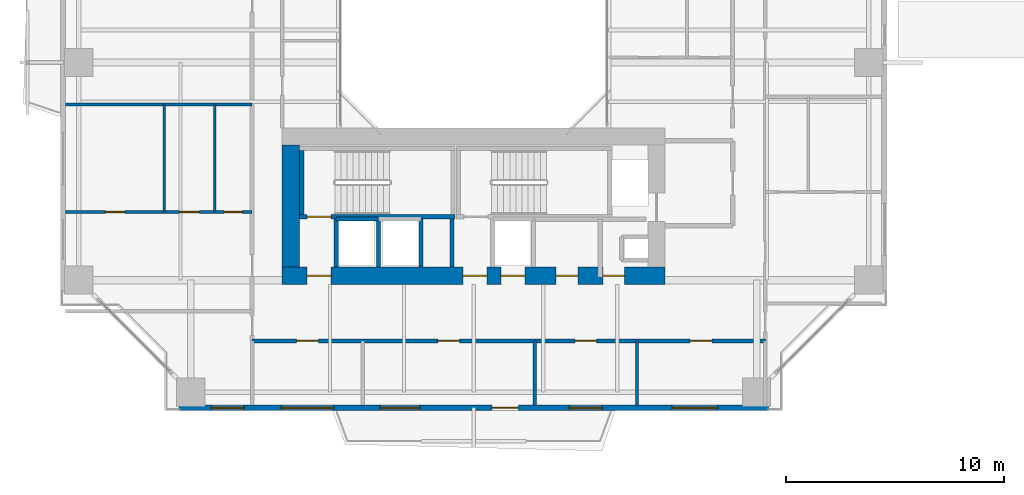
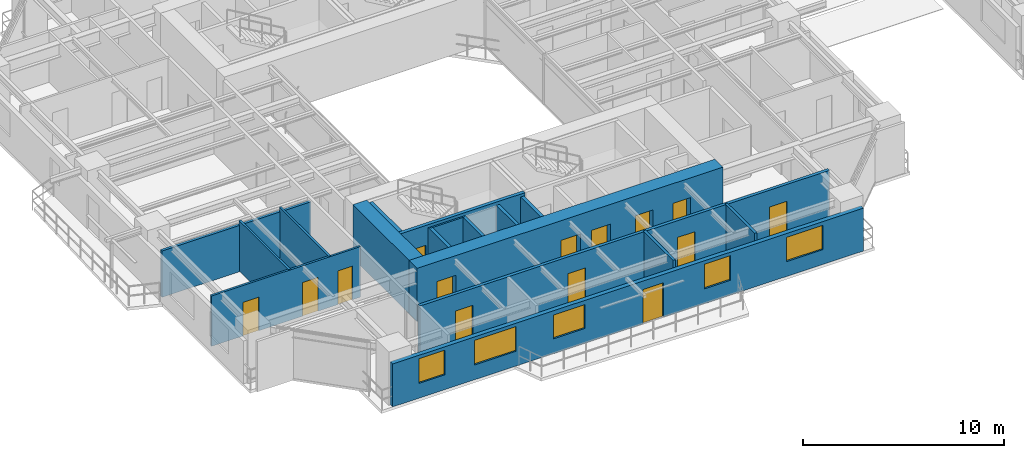
# One storey, part 11 of 23: 17 walls, 14 doors, 5 windows, 19 openings.
"""IFC4 building model written with IfcOpenShell, lengths in metres."""

import ifcopenshell
import ifcopenshell.guid

model = None  # the IFC model being written
_history = None  # IfcOwnerHistory: only IFC2X3 demands one
_inside = {}  # id of a spatial element -> (the spatial element, [elements in it])
_under = {}  # id of a project, library or spatial element -> (it, [spatial elements below it])
_declared = {}  # id of a project -> (the project, [libraries it declares])
_typed = {}  # id of a type object -> (the type object, [elements of that type])
_made_of = {}  # id of a material, layer set ... -> (it, [elements and type objects made of it])


def new_model(schema):
    """Start an empty IFC model of exactly this schema.

    Asked for "IFC4X3", IfcOpenShell would pick the latest addendum, in which some entities
    have other attributes; the version numbers below select the first issue.
    IFC2X3 requires an IfcOwnerHistory on every rooted entity: one is made here for all.
    """
    global model, _history
    if schema == "IFC4X3":
        model = ifcopenshell.file(schema_version=(4, 3, 0, 0))
    else:
        model = ifcopenshell.file(schema=schema)
    _inside.clear()
    _under.clear()
    _declared.clear()
    _typed.clear()
    _made_of.clear()
    _history = None
    if model.schema == "IFC2X3":
        org = make("IfcOrganization", Name="unknown")
        user = make(
            "IfcPersonAndOrganization",
            ThePerson=make("IfcPerson", FamilyName="unknown"),
            TheOrganization=org,
        )
        app = make(
            "IfcApplication",
            ApplicationDeveloper=org,
            Version="unknown",
            ApplicationFullName="unknown",
            ApplicationIdentifier="unknown",
        )
        _history = make(
            "IfcOwnerHistory",
            OwningUser=user,
            OwningApplication=app,
            ChangeAction="ADDED",
            CreationDate=0,
        )
    return model


def make(cls, **values):
    """One entity of the class cls with the attributes given. An attribute that is None is left unset."""
    return model.create_entity(
        cls, **{name: value for name, value in values.items() if value is not None}
    )


def rooted(cls, **values):
    """An entity with a GlobalId (a new one), such as an element, a storey or a relation."""
    return make(cls, GlobalId=ifcopenshell.guid.new(), OwnerHistory=_history, **values)


def si_unit(unit_type, name, prefix=None):
    """IfcSIUnit, for example si_unit("LENGTHUNIT", "METRE", prefix="MILLI")."""
    return make("IfcSIUnit", UnitType=unit_type, Prefix=prefix, Name=name)


def assignment(units):
    """IfcUnitAssignment: the units of a project."""
    return None if units is None else make("IfcUnitAssignment", Units=units)


def point(xyz):
    """IfcCartesianPoint."""
    return None if xyz is None else make("IfcCartesianPoint", Coordinates=xyz)


def direction(xyz):
    """IfcDirection."""
    return None if xyz is None else make("IfcDirection", DirectionRatios=xyz)


def frame(location, z_axis=None, x_axis=None):
    """IfcAxis2Placement3D, a coordinate frame: its origin and axes. An axis left out is left unset."""
    return make(
        "IfcAxis2Placement3D",
        Location=point(location),
        Axis=direction(z_axis),
        RefDirection=direction(x_axis),
    )


def frame_2d(location, x_axis=None):
    """IfcAxis2Placement2D, a coordinate frame in the plane: its origin and x axis."""
    return make(
        "IfcAxis2Placement2D", Location=point(location), RefDirection=direction(x_axis)
    )


def origin():
    """The frame at (0, 0, 0) with its axes left unset."""
    return frame((0.0, 0.0, 0.0))


def place(relative_to, where):
    """IfcLocalPlacement: puts the frame where relative to a parent placement (None: the world)."""
    return make(
        "IfcLocalPlacement", PlacementRelTo=relative_to, RelativePlacement=where
    )


def context(
    kind, dimensions, precision=None, world=None, true_north=None, identifier=None
):
    """IfcGeometricRepresentationContext, for example the 3D "Model" context."""
    return make(
        "IfcGeometricRepresentationContext",
        ContextIdentifier=identifier,
        ContextType=kind,
        CoordinateSpaceDimension=dimensions,
        Precision=precision,
        WorldCoordinateSystem=world,
        TrueNorth=true_north,
    )


def subcontext(parent, identifier, kind, view, scale=None):
    """IfcGeometricRepresentationSubContext, for example "Body" below "Model"."""
    return make(
        "IfcGeometricRepresentationSubContext",
        ContextIdentifier=identifier,
        ContextType=kind,
        ParentContext=parent,
        TargetScale=scale,
        TargetView=view,
    )


def project(units=None, contexts=None):
    """IfcProject with its units and contexts."""
    return rooted(
        "IfcProject",
        Name="project",
        RepresentationContexts=contexts,
        UnitsInContext=assignment(units),
    )


def spatial(cls, under=None, at=None, **own):
    """A site, building, storey or space (cls), placed at a placement, below another one or the project."""
    s = rooted(cls, ObjectPlacement=at, **own)
    if under is not None:
        _under.setdefault(under.id(), (under, []))[1].append(s)
    return s


def profile(cls, at=None, kind="AREA", **sizes):
    """A parametric profile (cls). Its sizes go by their IFC names, for example OverallWidth=200.0."""
    return make(cls, ProfileType=kind, Position=at, **sizes)


def rectangle(**sizes):
    """IfcRectangleProfileDef."""
    return profile("IfcRectangleProfileDef", **sizes)


def extrude(swept, where, along, depth):
    """IfcExtrudedAreaSolid: the profile swept, set in the frame where, extruded along a direction by depth."""
    return make(
        "IfcExtrudedAreaSolid",
        SweptArea=swept,
        Position=where,
        ExtrudedDirection=direction(along),
        Depth=depth,
    )


def shape(context_of_items, identifier, shape_type, items):
    """IfcShapeRepresentation: the items that make up one representation, for example the "Body"."""
    return make(
        "IfcShapeRepresentation",
        ContextOfItems=context_of_items,
        RepresentationIdentifier=identifier,
        RepresentationType=shape_type,
        Items=items,
    )


def source(mapping_origin, context_of_items, identifier, shape_type, items):
    """IfcRepresentationMap: a shape defined once, which mapped items show again and again."""
    return make(
        "IfcRepresentationMap",
        MappingOrigin=mapping_origin,
        MappedRepresentation=shape(context_of_items, identifier, shape_type, items),
    )


def transform(
    local_origin,
    x_axis=None,
    y_axis=None,
    z_axis=None,
    scale=None,
    scale2=None,
    scale3=None,
    uniform=True,
):
    """IfcCartesianTransformationOperator3D, or its non-uniform kind. x_axis, y_axis, z_axis: its Axis1, 2, 3."""
    if uniform:
        return make(
            "IfcCartesianTransformationOperator3D",
            Axis1=direction(x_axis),
            Axis2=direction(y_axis),
            LocalOrigin=point(local_origin),
            Scale=scale,
            Axis3=direction(z_axis),
        )
    return make(
        "IfcCartesianTransformationOperator3DnonUniform",
        Axis1=direction(x_axis),
        Axis2=direction(y_axis),
        LocalOrigin=point(local_origin),
        Scale=scale,
        Axis3=direction(z_axis),
        Scale2=scale2,
        Scale3=scale3,
    )


def mapped(mapping_source, mapping_target):
    """IfcMappedItem: shows the shape of a source again, moved by a transform."""
    return make(
        "IfcMappedItem", MappingSource=mapping_source, MappingTarget=mapping_target
    )


def material(Name=None, Category=None):
    """IfcMaterial."""
    return make("IfcMaterial", Name=Name, Category=Category)


def layer(
    of_material, thickness, ventilated=None, Name=None, Category=None, Priority=None
):
    """IfcMaterialLayer: one layer of a wall or slab, of a material (None: an air gap)."""
    return make(
        "IfcMaterialLayer",
        Material=of_material,
        LayerThickness=thickness,
        IsVentilated=ventilated,
        Name=Name,
        Category=Category,
        Priority=Priority,
    )


def layer_set(layers, Name=None):
    """IfcMaterialLayerSet."""
    return make("IfcMaterialLayerSet", MaterialLayers=layers, LayerSetName=Name)


def made_of(thing, what):
    """Note that an element or type object is made of a material, layer set ...; save() writes the relation."""
    if what is not None:
        _made_of.setdefault(what.id(), (what, []))[1].append(thing)
    return thing


def type_object(cls, material=None, **own):
    """A type object (cls), such as IfcWallType, which elements share."""
    return made_of(rooted(cls, **own), material)


def element(
    cls,
    number,
    at=None,
    inside=None,
    cuts=None,
    type_object=None,
    material=None,
    context=None,
    identifier="Body",
    shape_type=None,
    held_by="IfcProductDefinitionShape",
    body=None,
    shapes=None,
    **own,
):
    """One element of the class cls, such as IfcWall. Its Tag is "e" and its number.

    at: its placement. inside: the storey or other place that contains it. cuts: it is an
    opening in that element (IfcRelVoidsElement). A single representation is given by context,
    identifier, shape_type and body (its items); several are given by shapes. held_by: the class
    of the entity that holds the representations. save() writes the other relations.
    """
    e = rooted(cls, Tag="e%d" % number, ObjectPlacement=at, **own)
    if body is not None:
        shapes = [shape(context, identifier, shape_type, body)]
    if shapes is not None:
        e.Representation = make(held_by, Representations=shapes)
    if inside is not None:
        _inside.setdefault(inside.id(), (inside, []))[1].append(e)
    if cuts is not None:
        rooted(
            "IfcRelVoidsElement", RelatingBuildingElement=cuts, RelatedOpeningElement=e
        )
    if type_object is not None:
        _typed.setdefault(type_object.id(), (type_object, []))[1].append(e)
    return made_of(e, material)


def fill(opening, filler):
    """IfcRelFillsElement: the door or window that sits in an opening."""
    return rooted(
        "IfcRelFillsElement",
        RelatingOpeningElement=opening,
        RelatedBuildingElement=filler,
    )


def aggregate(whole, parts):
    """IfcRelAggregates: a whole, such as a stair, and the parts it consists of."""
    return rooted("IfcRelAggregates", RelatingObject=whole, RelatedObjects=parts)


def save(model, path):
    """Write the relations noted so far, then the file.

    IfcRelAggregates (storeys below a building ...), IfcRelContainedInSpatialStructure (elements
    in a storey), IfcRelDefinesByType, IfcRelAssociatesMaterial and IfcRelDeclares: one each for
    every whole, place, type object, material and project.
    """
    for whole, parts in _under.values():
        aggregate(whole, parts)
    for where, things in _inside.values():
        rooted(
            "IfcRelContainedInSpatialStructure",
            RelatedElements=things,
            RelatingStructure=where,
        )
    for kind, things in _typed.values():
        rooted("IfcRelDefinesByType", RelatedObjects=things, RelatingType=kind)
    for what, things in _made_of.values():
        rooted("IfcRelAssociatesMaterial", RelatedObjects=things, RelatingMaterial=what)
    for by, libraries in _declared.values():
        rooted("IfcRelDeclares", RelatingContext=by, RelatedDefinitions=libraries)
    model.write(path)


model = new_model("IFC4")

# Units and contexts
model_context = context("Model", 3, precision=1e-05, world=origin(), true_north=direction((0.0, 1.0)))
body_context = subcontext(model_context, "Body", "Model", "MODEL_VIEW")
ifc_project = project(units=[si_unit("LENGTHUNIT", "METRE"), si_unit("AREAUNIT", "SQUARE_METRE"), si_unit("VOLUMEUNIT", "CUBIC_METRE"), si_unit("PLANEANGLEUNIT", "RADIAN"), si_unit("MASSUNIT", "GRAM", prefix="KILO"), si_unit("THERMODYNAMICTEMPERATUREUNIT", "KELVIN"), si_unit("POWERUNIT", "WATT")], contexts=[model_context])

# Site, building, storey
site_placement = place(None, origin())
site = spatial("IfcSite", under=ifc_project, at=site_placement, CompositionType="ELEMENT")
building_placement = place(site_placement, origin())
building = spatial("IfcBuilding", under=site, at=building_placement, Name="Qiaomeng Ring Towers", CompositionType="ELEMENT")
storey_placement = place(building_placement, frame((0.0, 0.0, 50.25)))
storey = spatial("IfcBuildingStorey", under=building, at=storey_placement, Name="L13", CompositionType="ELEMENT", Elevation=50.25)

# Wall, openings, windows, door
ifc_material_1 = material(Name="Precast concrete C40", Category="concrete")
ifc_layer_1 = layer(ifc_material_1, 0.25, Name="Precast concrete C40")
ifc_layer_set_1 = layer_set([ifc_layer_1], Name="Precast concrete C40")
wall_type_1 = type_object("IfcWallType", Name="ARC-WL-EW1", PredefinedType="STANDARD", material=ifc_layer_set_1)
wall_1_placement = place(storey_placement, frame((5.449951171875, 4.125, 0.0), z_axis=(0.0, 0.0, 1.0), x_axis=(1.0, 0.0, 0.0)))
wall_1 = element("IfcWall", 1, at=wall_1_placement, inside=storey, type_object=wall_type_1, Name="L13 Tower 1 S Exterior Wall", PredefinedType="STANDARD", context=body_context, shape_type="SweptSolid", body=[
    extrude(rectangle(XDim=27.10009765625, YDim=0.25, at=frame_2d((13.550048828125, 0.0))), origin(), (0.0, 0.0, 1.0), 2.610107421875),
])
opening_1_placement = place(wall_1_placement, frame((14.39990234375, 0.0, 0.0)))
opening_1 = element("IfcOpeningElement", 2, at=opening_1_placement, cuts=wall_1, Name="Opening BD1", PredefinedType="OPENING", context=body_context, shape_type="SweptSolid", body=[
    extrude(rectangle(XDim=1.199951171875, YDim=2.10009765625, at=frame_2d((0.60009765625, 1.050048828125))), frame((0.0, 0.135009765625, 0.0), z_axis=(0.0, -1.0, 0.0), x_axis=(1.0, 0.0, 0.0)), (0.0, 0.0, 1.0), 0.27001953125),
])
opening_2_placement = place(wall_1_placement, frame((1.5, 0.0, 0.89990234375)))
opening_2 = element("IfcOpeningElement", 3, at=opening_2_placement, cuts=wall_1, Name="Opening WN2", PredefinedType="OPENING", context=body_context, shape_type="SweptSolid", body=[
    extrude(rectangle(XDim=1.5, YDim=1.5, at=frame_2d((0.75, 0.75))), frame((0.0, 0.135009765625, 0.0), z_axis=(0.0, -1.0, 0.0), x_axis=(1.0, 0.0, 0.0)), (0.0, 0.0, 1.0), 0.27001953125),
])
opening_3_placement = place(wall_1_placement, frame((9.262939453125, 0.0, 0.89990234375)))
opening_3 = element("IfcOpeningElement", 4, at=opening_3_placement, cuts=wall_1, Name="Opening WN1", PredefinedType="OPENING", context=body_context, shape_type="SweptSolid", body=[
    extrude(rectangle(XDim=1.800048828125, YDim=1.449951171875, at=frame_2d((0.89990234375, 0.72509765625))), frame((0.0, 0.135009765625, 0.0), z_axis=(0.0, -1.0, 0.0), x_axis=(1.0, 0.0, 0.0)), (0.0, 0.0, 1.0), 0.27001953125),
])
opening_4_placement = place(wall_1_placement, frame((17.949951171875, 0.0, 0.89990234375)))
opening_4 = element("IfcOpeningElement", 5, at=opening_4_placement, cuts=wall_1, Name="Opening WN2", PredefinedType="OPENING", context=body_context, shape_type="SweptSolid", body=[
    extrude(rectangle(XDim=1.5, YDim=1.5, at=frame_2d((0.75, 0.75))), frame((0.0, 0.135009765625, 0.0), z_axis=(0.0, -1.0, 0.0), x_axis=(1.0, 0.0, 0.0)), (0.0, 0.0, 1.0), 0.27001953125),
])
opening_5_placement = place(wall_1_placement, frame((22.6630859375, 0.0, 0.89990234375)))
opening_5 = element("IfcOpeningElement", 6, at=opening_5_placement, cuts=wall_1, Name="Opening WN4", PredefinedType="OPENING", context=body_context, shape_type="SweptSolid", body=[
    extrude(rectangle(XDim=2.10009765625, YDim=1.47998046875, at=frame_2d((1.050048828125, 0.739990234375))), frame((0.0, 0.135009765625, 0.0), z_axis=(0.0, -1.0, 0.0), x_axis=(1.0, 0.0, 0.0)), (0.0, 0.0, 1.0), 0.27001953125),
])
opening_6_placement = place(wall_1_placement, frame((4.7099609375, 0.0, 0.89990234375)))
opening_6 = element("IfcOpeningElement", 7, at=opening_6_placement, cuts=wall_1, Name="Opening WN6", PredefinedType="OPENING", context=body_context, shape_type="SweptSolid", body=[
    extrude(rectangle(XDim=2.39990234375, YDim=1.5, at=frame_2d((1.199951171875, 0.75))), frame((0.0, 0.135009765625, 0.0), z_axis=(0.0, -1.0, 0.0), x_axis=(1.0, 0.0, 0.0)), (0.0, 0.0, 1.0), 0.27001953125),
])
ifc_material_2 = material(Name="Low-E dark-grey laminated double glazing", Category="glass")
window_type_1 = type_object("IfcWindowType", Name="ARC-WN-4", PartitioningType="TRIPLE_PANEL_VERTICAL", PredefinedType="WINDOW", material=ifc_material_2)
shared_shape_1 = source(origin(), body_context, "Body", "SweptSolid", [
    extrude(rectangle(XDim=2.10009765625, YDim=1.47998046875, at=frame_2d((1.050048828125, 0.739990234375))), frame((0.0, 0.030029296875, 0.0), z_axis=(0.0, -1.0, 0.0), x_axis=(1.0, 0.0, 0.0)), (0.0, 0.0, 1.0), 0.06005859375),
])
window_1_placement = place(opening_5_placement, origin())
window_1 = element("IfcWindow", 8, at=window_1_placement, inside=storey, type_object=window_type_1, Name="L13 Exterior Window WN4", OverallHeight=1.47998046875, OverallWidth=2.10009765625, PartitioningType="TRIPLE_PANEL_VERTICAL", PredefinedType="WINDOW", context=body_context, shape_type="MappedRepresentation", body=[
    mapped(shared_shape_1, transform((0.0, 0.0, 0.0), x_axis=(1.0, 0.0, 0.0), y_axis=(0.0, 1.0, 0.0), z_axis=(0.0, 0.0, 1.0), scale=1.0)),
])
fill(opening_5, window_1)
window_type_2 = type_object("IfcWindowType", Name="ARC-WN-1", PartitioningType="DOUBLE_PANEL_VERTICAL", PredefinedType="WINDOW", material=ifc_material_2)
shared_shape_2 = source(origin(), body_context, "Body", "SweptSolid", [
    extrude(rectangle(XDim=1.800048828125, YDim=1.449951171875, at=frame_2d((0.89990234375, 0.72509765625))), frame((0.0, 0.030029296875, 0.0), z_axis=(0.0, -1.0, 0.0), x_axis=(1.0, 0.0, 0.0)), (0.0, 0.0, 1.0), 0.06005859375),
])
window_2_placement = place(opening_3_placement, origin())
window_2 = element("IfcWindow", 9, at=window_2_placement, inside=storey, type_object=window_type_2, Name="L13 Exterior Window WN1", OverallHeight=1.449951171875, OverallWidth=1.800048828125, PartitioningType="DOUBLE_PANEL_VERTICAL", PredefinedType="WINDOW", context=body_context, shape_type="MappedRepresentation", body=[
    mapped(shared_shape_2, transform((0.0, 0.0, 0.0), x_axis=(1.0, 0.0, 0.0), y_axis=(0.0, 1.0, 0.0), z_axis=(0.0, 0.0, 1.0), scale=1.0)),
])
fill(opening_3, window_2)
door_type_1 = type_object("IfcDoorType", Name="ARC-DR-BD1", OperationType="NOTDEFINED", PredefinedType="DOOR", material=ifc_material_2)
shared_shape_3 = source(origin(), body_context, "Body", "SweptSolid", [
    extrude(rectangle(XDim=1.199951171875, YDim=2.10009765625, at=frame_2d((0.60009765625, 1.050048828125))), frame((0.0, 0.02490234375, 0.0), z_axis=(0.0, -1.0, 0.0), x_axis=(1.0, 0.0, 0.0)), (0.0, 0.0, 1.0), 0.050048828125),
])
door_1_placement = place(opening_1_placement, frame((1.199951171875, 0.0, 0.0), z_axis=(0.0, 0.0, 1.0), x_axis=(-1.0, 0.0, 0.0)))
door_1 = element("IfcDoor", 10, at=door_1_placement, inside=storey, type_object=door_type_1, Name="L13 S Balcony Glazed Door", OperationType="SINGLE_SWING_LEFT", OverallHeight=2.10009765625, OverallWidth=1.199951171875, PredefinedType="DOOR", context=body_context, shape_type="MappedRepresentation", body=[
    mapped(shared_shape_3, transform((0.0, 0.0, 0.0), x_axis=(1.0, 0.0, 0.0), y_axis=(0.0, 1.0, 0.0), z_axis=(0.0, 0.0, 1.0), scale=1.0)),
])
fill(opening_1, door_1)
window_type_3 = type_object("IfcWindowType", Name="ARC-WN-2", PartitioningType="DOUBLE_PANEL_VERTICAL", PredefinedType="WINDOW", material=ifc_material_2)
shared_shape_4 = source(origin(), body_context, "Body", "SweptSolid", [
    extrude(rectangle(XDim=1.5, YDim=1.5, at=frame_2d((0.75, 0.75))), frame((0.0, 0.030029296875, 0.0), z_axis=(0.0, -1.0, 0.0), x_axis=(1.0, 0.0, 0.0)), (0.0, 0.0, 1.0), 0.06005859375),
])
window_3_placement = place(opening_2_placement, origin())
window_3 = element("IfcWindow", 11, at=window_3_placement, inside=storey, type_object=window_type_3, Name="L13 Exterior Window WN6", OverallHeight=1.5, OverallWidth=1.5, PartitioningType="TRIPLE_PANEL_VERTICAL", PredefinedType="WINDOW", context=body_context, shape_type="MappedRepresentation", body=[
    mapped(shared_shape_4, transform((0.0, 0.0, 0.0), x_axis=(1.0, 0.0, 0.0), y_axis=(0.0, 1.0, 0.0), z_axis=(0.0, 0.0, 1.0), scale=1.0)),
])
fill(opening_2, window_3)
window_4_placement = place(opening_4_placement, origin())
window_4 = element("IfcWindow", 12, at=window_4_placement, inside=storey, type_object=window_type_3, Name="L13 Exterior Window WN2", OverallHeight=1.5, OverallWidth=1.5, PartitioningType="DOUBLE_PANEL_VERTICAL", PredefinedType="WINDOW", context=body_context, shape_type="MappedRepresentation", body=[
    mapped(shared_shape_4, transform((0.0, 0.0, 0.0), x_axis=(1.0, 0.0, 0.0), y_axis=(0.0, 1.0, 0.0), z_axis=(0.0, 0.0, 1.0), scale=1.0)),
])
fill(opening_4, window_4)
window_type_4 = type_object("IfcWindowType", Name="ARC-WN-6", PartitioningType="TRIPLE_PANEL_VERTICAL", PredefinedType="WINDOW", material=ifc_material_2)
shared_shape_5 = source(origin(), body_context, "Body", "SweptSolid", [
    extrude(rectangle(XDim=2.39990234375, YDim=1.5, at=frame_2d((1.199951171875, 0.75))), frame((0.0, 0.030029296875, 0.0), z_axis=(0.0, -1.0, 0.0), x_axis=(1.0, 0.0, 0.0)), (0.0, 0.0, 1.0), 0.06005859375),
])
window_5_placement = place(opening_6_placement, origin())
window_5 = element("IfcWindow", 13, at=window_5_placement, inside=storey, type_object=window_type_4, Name="L13 Exterior Window WN6", OverallHeight=1.5, OverallWidth=2.39990234375, PartitioningType="TRIPLE_PANEL_VERTICAL", PredefinedType="WINDOW", context=body_context, shape_type="MappedRepresentation", body=[
    mapped(shared_shape_5, transform((0.0, 0.0, 0.0), x_axis=(1.0, 0.0, 0.0), y_axis=(0.0, 1.0, 0.0), z_axis=(0.0, 0.0, 1.0), scale=1.0)),
])
fill(opening_6, window_5)

# Walls
ifc_material_3 = material(Name="Autoclaved aerated concrete block", Category="concrete")
ifc_layer_2 = layer(ifc_material_3, 0.199951171875, Name="Autoclaved aerated concrete block")
ifc_layer_set_2 = layer_set([ifc_layer_2], Name="Autoclaved aerated concrete block")
wall_type_2 = type_object("IfcWallType", Name="ARC-WL-PW1", PredefinedType="PARTITIONING", material=ifc_layer_set_2)
for number, where, z_axis, x_axis, name in (
    (14, (12.679931640625, 10.60009765625, 0.0), (0.0, 0.0, 1.0), (0.0, 1.0, 0.0), "L13 Interior Wall PW1"),
    (15, (18.0, 10.60009765625, 0.0), (0.0, 0.0, 1.0), (0.0, 1.0, 0.0), "L13 Interior Wall PW1"),
):
    element("IfcWall", number, at=place(storey_placement, frame(where, z_axis=z_axis, x_axis=x_axis)), inside=storey, type_object=wall_type_2, Name=name, PredefinedType="PARTITIONING", context=body_context, shape_type="SweptSolid", body=[
        extrude(rectangle(XDim=2.2099609375, YDim=0.199951171875, at=frame_2d((1.10498046875, 0.0))), origin(), (0.0, 0.0, 1.0), 3.070068359375),
    ])

# Wall, openings, doors
ifc_layer_3 = layer(ifc_material_3, 0.179931640625, Name="Autoclaved aerated concrete block")
ifc_layer_set_3 = layer_set([ifc_layer_3], Name="Autoclaved aerated concrete block")
wall_type_3 = type_object("IfcWallType", Name="ARC-WL-PW2", PredefinedType="PARTITIONING", material=ifc_layer_set_3)
wall_2_placement = place(storey_placement, frame((8.820068359375, 7.2099609375, 0.0), z_axis=(0.0, 0.0, 1.0), x_axis=(1.0, 0.0, 0.0)))
wall_2 = element("IfcWall", 16, at=wall_2_placement, inside=storey, type_object=wall_type_3, Name="L13 Interior Wall PW2", PredefinedType="PARTITIONING", context=body_context, shape_type="SweptSolid", body=[
    extrude(rectangle(XDim=23.579833984375, YDim=0.179931640625, at=frame_2d((11.7900390625, 0.0))), origin(), (0.0, 0.0, 1.0), 3.070068359375),
])
opening_7_placement = place(wall_2_placement, frame((2.0400390625, 0.0, 0.0)))
opening_7 = element("IfcOpeningElement", 17, at=opening_7_placement, cuts=wall_2, Name="Opening FD4", PredefinedType="OPENING", context=body_context, shape_type="SweptSolid", body=[
    extrude(rectangle(XDim=1.0, YDim=2.050048828125, at=frame_2d((0.5, 1.02490234375))), frame((0.0, 0.099853515625, 0.0), z_axis=(0.0, -1.0, 0.0), x_axis=(1.0, 0.0, 0.0)), (0.0, 0.0, 1.0), 0.199951171875),
])
opening_8_placement = place(wall_2_placement, frame((8.530029296875, 0.0, 0.0)))
opening_8 = element("IfcOpeningElement", 18, at=opening_8_placement, cuts=wall_2, Name="Opening FD4", PredefinedType="OPENING", context=body_context, shape_type="SweptSolid", body=[
    extrude(rectangle(XDim=1.0, YDim=2.050048828125, at=frame_2d((0.5, 1.02490234375))), frame((0.0, 0.099853515625, 0.0), z_axis=(0.0, -1.0, 0.0), x_axis=(1.0, 0.0, 0.0)), (0.0, 0.0, 1.0), 0.199951171875),
])
opening_9_placement = place(wall_2_placement, frame((14.830078125, 0.0, 0.0)))
opening_9 = element("IfcOpeningElement", 19, at=opening_9_placement, cuts=wall_2, Name="Opening FD4", PredefinedType="OPENING", context=body_context, shape_type="SweptSolid", body=[
    extrude(rectangle(XDim=1.0, YDim=2.050048828125, at=frame_2d((0.5, 1.02490234375))), frame((0.0, 0.099853515625, 0.0), z_axis=(0.0, -1.0, 0.0), x_axis=(1.0, 0.0, 0.0)), (0.0, 0.0, 1.0), 0.199951171875),
])
opening_10_placement = place(wall_2_placement, frame((20.1298828125, 0.0, 0.0)))
opening_10 = element("IfcOpeningElement", 20, at=opening_10_placement, cuts=wall_2, Name="Opening FD4", PredefinedType="OPENING", context=body_context, shape_type="SweptSolid", body=[
    extrude(rectangle(XDim=1.0, YDim=2.050048828125, at=frame_2d((0.5, 1.02490234375))), frame((0.0, 0.099853515625, 0.0), z_axis=(0.0, -1.0, 0.0), x_axis=(1.0, 0.0, 0.0)), (0.0, 0.0, 1.0), 0.199951171875),
])
ifc_material_4 = material(Name="Engineered fire-rated oak timber", Category="wood")
door_type_2 = type_object("IfcDoorType", Name="ARC-DR-FD4", OperationType="NOTDEFINED", PredefinedType="DOOR", material=ifc_material_4)
shared_shape_6 = source(origin(), body_context, "Body", "SweptSolid", [
    extrude(rectangle(XDim=1.0, YDim=2.050048828125, at=frame_2d((0.5, 1.02490234375))), frame((0.0, 0.02490234375, 0.0), z_axis=(0.0, -1.0, 0.0), x_axis=(1.0, 0.0, 0.0)), (0.0, 0.0, 1.0), 0.050048828125),
])
door_2_placement = place(opening_7_placement, origin())
door_2 = element("IfcDoor", 21, at=door_2_placement, inside=storey, type_object=door_type_2, Name="L13 Door FD4", OperationType="SINGLE_SWING_LEFT", OverallHeight=2.050048828125, OverallWidth=1.0, PredefinedType="DOOR", context=body_context, shape_type="MappedRepresentation", body=[
    mapped(shared_shape_6, transform((0.0, 0.0, 0.0), x_axis=(1.0, 0.0, 0.0), y_axis=(0.0, 1.0, 0.0), z_axis=(0.0, 0.0, 1.0), scale=1.0)),
])
fill(opening_7, door_2)
door_3_placement = place(opening_8_placement, origin())
door_3 = element("IfcDoor", 22, at=door_3_placement, inside=storey, type_object=door_type_2, Name="L13 Door FD4", OperationType="SINGLE_SWING_RIGHT", OverallHeight=2.050048828125, OverallWidth=1.0, PredefinedType="DOOR", context=body_context, shape_type="MappedRepresentation", body=[
    mapped(shared_shape_6, transform((0.0, 0.0, 0.0), x_axis=(1.0, 0.0, 0.0), y_axis=(0.0, 1.0, 0.0), z_axis=(0.0, 0.0, 1.0), scale=1.0)),
])
fill(opening_8, door_3)
door_4_placement = place(opening_9_placement, origin())
door_4 = element("IfcDoor", 23, at=door_4_placement, inside=storey, type_object=door_type_2, Name="L13 Door FD4", OperationType="SINGLE_SWING_LEFT", OverallHeight=2.050048828125, OverallWidth=1.0, PredefinedType="DOOR", context=body_context, shape_type="MappedRepresentation", body=[
    mapped(shared_shape_6, transform((0.0, 0.0, 0.0), x_axis=(1.0, 0.0, 0.0), y_axis=(0.0, 1.0, 0.0), z_axis=(0.0, 0.0, 1.0), scale=1.0)),
])
fill(opening_9, door_4)
door_5_placement = place(opening_10_placement, origin())
door_5 = element("IfcDoor", 24, at=door_5_placement, inside=storey, type_object=door_type_2, Name="L13 Door FD4", OperationType="SINGLE_SWING_RIGHT", OverallHeight=2.050048828125, OverallWidth=1.0, PredefinedType="DOOR", context=body_context, shape_type="MappedRepresentation", body=[
    mapped(shared_shape_6, transform((0.0, 0.0, 0.0), x_axis=(1.0, 0.0, 0.0), y_axis=(0.0, 1.0, 0.0), z_axis=(0.0, 0.0, 1.0), scale=1.0)),
])
fill(opening_10, door_5)

# Walls
ifc_material_5 = material(Name="Gypsum fireboard steel-stud partition", Category="steel")
ifc_layer_4 = layer(ifc_material_5, 0.14990234375, Name="Gypsum fireboard steel-stud partition")
ifc_layer_set_4 = layer_set([ifc_layer_4], Name="Gypsum fireboard steel-stud partition")
wall_type_4 = type_object("IfcWallType", Name="ARC-WL-PW3", PredefinedType="PARTITIONING", material=ifc_layer_set_4)
for number, where, z_axis, x_axis, name in (
    (25, (21.800048828125, 4.25, 0.0), (0.0, 0.0, 1.0), (0.0, 1.0, 0.0), "L13 Interior Wall PW3"),
    (26, (26.5, 4.25, 0.0), (0.0, 0.0, 1.0), (0.0, 1.0, 0.0), "L13 Interior Wall PW3"),
):
    element("IfcWall", number, at=place(storey_placement, frame(where, z_axis=z_axis, x_axis=x_axis)), inside=storey, type_object=wall_type_4, Name=name, PredefinedType="PARTITIONING", context=body_context, shape_type="SweptSolid", body=[
        extrude(rectangle(XDim=2.9599609375, YDim=0.14990234375, at=frame_2d((1.47998046875, 0.0))), origin(), (0.0, 0.0, 1.0), 3.070068359375),
    ])
wall_3_placement = place(storey_placement, frame((0.25, 18.070068359375, 0.0), z_axis=(0.0, 0.0, 1.0), x_axis=(1.0, 0.0, 0.0)))
element("IfcWall", 27, at=wall_3_placement, inside=storey, type_object=wall_type_4, Name="L13 Interior Wall PW3", PredefinedType="PARTITIONING", context=body_context, shape_type="SweptSolid", body=[
    extrude(rectangle(XDim=8.570068359375, YDim=0.14990234375, at=frame_2d((4.28515625, 0.0))), origin(), (0.0, 0.0, 1.0), 2.821044921875),
])

# Wall, openings, doors
ifc_material_6 = material(Name="Moisture-resistant gypsum steel-stud partition", Category="steel")
ifc_layer_5 = layer(ifc_material_6, 0.1201171875, Name="Moisture-resistant gypsum steel-stud partition")
ifc_layer_set_5 = layer_set([ifc_layer_5], Name="Moisture-resistant gypsum steel-stud partition")
wall_type_5 = type_object("IfcWallType", Name="ARC-WL-PW4", PredefinedType="PLUMBINGWALL", material=ifc_layer_set_5)
wall_4_placement = place(storey_placement, frame((0.25, 13.1298828125, 0.0), z_axis=(0.0, 0.0, 1.0), x_axis=(1.0, 0.0, 0.0)))
wall_4 = element("IfcWall", 28, at=wall_4_placement, inside=storey, type_object=wall_type_5, Name="L13 Interior Wall PW4", PredefinedType="PLUMBINGWALL", context=body_context, shape_type="SweptSolid", body=[
    extrude(rectangle(XDim=8.570068359375, YDim=0.1201171875, at=frame_2d((4.28515625, 0.0))), origin(), (0.0, 0.0, 1.0), 3.070068359375),
])
opening_11_placement = place(wall_4_placement, frame((1.824951171875, 0.0, 0.0)))
opening_11 = element("IfcOpeningElement", 29, at=opening_11_placement, cuts=wall_4, Name="Opening ID1", PredefinedType="OPENING", context=body_context, shape_type="SweptSolid", body=[
    extrude(rectangle(XDim=0.89990234375, YDim=2.050048828125, at=frame_2d((0.449951171875, 1.02490234375))), frame((0.0, 0.070068359375, 0.0), z_axis=(0.0, -1.0, 0.0), x_axis=(1.0, 0.0, 0.0)), (0.0, 0.0, 1.0), 0.14013671875),
])
opening_12_placement = place(wall_4_placement, frame((5.239990234375, 0.0, 0.0)))
opening_12 = element("IfcOpeningElement", 30, at=opening_12_placement, cuts=wall_4, Name="Opening ID1", PredefinedType="OPENING", context=body_context, shape_type="SweptSolid", body=[
    extrude(rectangle(XDim=0.89990234375, YDim=2.050048828125, at=frame_2d((0.449951171875, 1.02490234375))), frame((0.0, 0.070068359375, 0.0), z_axis=(0.0, -1.0, 0.0), x_axis=(1.0, 0.0, 0.0)), (0.0, 0.0, 1.0), 0.14013671875),
])
opening_13_placement = place(wall_4_placement, frame((7.27490234375, 0.0, 0.0)))
opening_13 = element("IfcOpeningElement", 31, at=opening_13_placement, cuts=wall_4, Name="Opening ID2", PredefinedType="OPENING", context=body_context, shape_type="SweptSolid", body=[
    extrude(rectangle(XDim=0.85009765625, YDim=2.050048828125, at=frame_2d((0.425048828125, 1.02490234375))), frame((0.0, 0.070068359375, 0.0), z_axis=(0.0, -1.0, 0.0), x_axis=(1.0, 0.0, 0.0)), (0.0, 0.0, 1.0), 0.14013671875),
])
ifc_material_7 = material(Name="Moisture-resistant engineered timber", Category="wood")
door_type_3 = type_object("IfcDoorType", Name="ARC-DR-ID2", OperationType="NOTDEFINED", PredefinedType="DOOR", material=ifc_material_7)
shared_shape_7 = source(origin(), body_context, "Body", "SweptSolid", [
    extrude(rectangle(XDim=0.85009765625, YDim=2.050048828125, at=frame_2d((0.425048828125, 1.02490234375))), frame((0.0, 0.02490234375, 0.0), z_axis=(0.0, -1.0, 0.0), x_axis=(1.0, 0.0, 0.0)), (0.0, 0.0, 1.0), 0.050048828125),
])
door_6_placement = place(opening_13_placement, origin())
door_6 = element("IfcDoor", 32, at=door_6_placement, inside=storey, type_object=door_type_3, Name="L13 Door ID2", OperationType="SINGLE_SWING_LEFT", OverallHeight=2.050048828125, OverallWidth=0.85009765625, PredefinedType="DOOR", context=body_context, shape_type="MappedRepresentation", body=[
    mapped(shared_shape_7, transform((0.0, 0.0, 0.0), x_axis=(1.0, 0.0, 0.0), y_axis=(0.0, 1.0, 0.0), z_axis=(0.0, 0.0, 1.0), scale=1.0)),
])
fill(opening_13, door_6)
ifc_material_8 = material(Name="Engineered oak timber", Category="wood")
door_type_4 = type_object("IfcDoorType", Name="ARC-DR-ID1", OperationType="NOTDEFINED", PredefinedType="DOOR", material=ifc_material_8)
shared_shape_8 = source(origin(), body_context, "Body", "SweptSolid", [
    extrude(rectangle(XDim=0.89990234375, YDim=2.050048828125, at=frame_2d((0.449951171875, 1.02490234375))), frame((0.0, 0.02490234375, 0.0), z_axis=(0.0, -1.0, 0.0), x_axis=(1.0, 0.0, 0.0)), (0.0, 0.0, 1.0), 0.050048828125),
])
door_7_placement = place(opening_11_placement, origin())
door_7 = element("IfcDoor", 33, at=door_7_placement, inside=storey, type_object=door_type_4, Name="L13 Door ID1", OperationType="SINGLE_SWING_LEFT", OverallHeight=2.050048828125, OverallWidth=0.89990234375, PredefinedType="DOOR", context=body_context, shape_type="MappedRepresentation", body=[
    mapped(shared_shape_8, transform((0.0, 0.0, 0.0), x_axis=(1.0, 0.0, 0.0), y_axis=(0.0, 1.0, 0.0), z_axis=(0.0, 0.0, 1.0), scale=1.0)),
])
fill(opening_11, door_7)
door_8_placement = place(opening_12_placement, origin())
door_8 = element("IfcDoor", 34, at=door_8_placement, inside=storey, type_object=door_type_4, Name="L13 Door ID1", OperationType="SINGLE_SWING_RIGHT", OverallHeight=2.050048828125, OverallWidth=0.89990234375, PredefinedType="DOOR", context=body_context, shape_type="MappedRepresentation", body=[
    mapped(shared_shape_8, transform((0.0, 0.0, 0.0), x_axis=(1.0, 0.0, 0.0), y_axis=(0.0, 1.0, 0.0), z_axis=(0.0, 0.0, 1.0), scale=1.0)),
])
fill(opening_12, door_8)

# Walls
for number, where, z_axis, x_axis, name in (
    (35, (4.780029296875, 13.1298828125, 0.0), (0.0, 0.0, 1.0), (0.0, 1.0, 0.0), "L13 Interior Wall PW4"),
    (36, (7.10009765625, 13.1298828125, 0.0), (0.0, 0.0, 1.0), (0.0, 1.0, 0.0), "L13 Interior Wall PW4"),
):
    element("IfcWall", number, at=place(storey_placement, frame(where, z_axis=z_axis, x_axis=x_axis)), inside=storey, type_object=wall_type_5, Name=name, PredefinedType="PLUMBINGWALL", context=body_context, shape_type="SweptSolid", body=[
        extrude(rectangle(XDim=4.940185546875, YDim=0.1201171875, at=frame_2d((2.47021484375, 0.0))), origin(), (0.0, 0.0, 1.0), 3.070068359375),
    ])
ifc_material_9 = material(Name="Concrete C40", Category="concrete")
ifc_layer_6 = layer(ifc_material_9, 0.199951171875, Name="Concrete C40")
ifc_layer_set_6 = layer_set([ifc_layer_6], Name="Concrete C40")
wall_type_6 = type_object("IfcWallType", Name="STR-WL-STSHAFT", PredefinedType="SHEAR", material=ifc_layer_set_6)
wall_5_placement = place(storey_placement, frame((12.679931640625, 12.800048828125, 0.0), z_axis=(0.0, 0.0, 1.0), x_axis=(1.0, 0.0, 0.0)))
element("IfcWall", 37, at=wall_5_placement, inside=storey, type_object=wall_type_6, Name="L13 Lift LP6 Shaft Back Wall", PredefinedType="SHEAR", context=body_context, shape_type="SweptSolid", body=[
    extrude(rectangle(XDim=1.940185546875, YDim=0.179931640625, at=frame_2d((0.97021484375, 0.0))), origin(), (0.0, 0.0, 1.0), 3.070068359375),
])
for number, where, z_axis, x_axis, name in (
    (38, (14.6201171875, 10.60009765625, 0.0), (0.0, 0.0, 1.0), (0.0, 1.0, 0.0), "L13 Lift LP6-LP4 Shaft Divider Wall"),
    (39, (16.580078125, 10.60009765625, 0.0), (0.0, 0.0, 1.0), (0.0, 1.0, 0.0), "L13 Lift LP4 East Shaft Wall"),
):
    element("IfcWall", number, at=place(storey_placement, frame(where, z_axis=z_axis, x_axis=x_axis)), inside=storey, type_object=wall_type_6, Name=name, PredefinedType="SHEAR", context=body_context, shape_type="SweptSolid", body=[
        extrude(rectangle(XDim=2.199951171875, YDim=0.179931640625, at=frame_2d((1.10009765625, 0.0))), origin(), (0.0, 0.0, 1.0), 3.070068359375),
    ])

# Wall, opening, door
wall_6_placement = place(storey_placement, frame((11.0, 12.909912109375, 0.0), z_axis=(0.0, 0.0, 1.0), x_axis=(1.0, 0.0, 0.0)))
wall_6 = element("IfcWall", 40, at=wall_6_placement, inside=storey, type_object=wall_type_6, Name="L13 Stair ST3 South Shaft Shear Wall", PredefinedType="SHEAR", context=body_context, shape_type="SweptSolid", body=[
    extrude(rectangle(XDim=7.14990234375, YDim=0.199951171875, at=frame_2d((3.574951171875, 0.0))), origin(), (0.0, 0.0, 1.0), 3.25),
])
opening_14_placement = place(wall_6_placement, frame((0.35009765625, 0.0, 0.0)))
opening_14 = element("IfcOpeningElement", 41, at=opening_14_placement, cuts=wall_6, Name="Opening FD3", PredefinedType="OPENING", context=body_context, shape_type="SweptSolid", body=[
    extrude(rectangle(XDim=1.10009765625, YDim=2.050048828125, at=frame_2d((0.550048828125, 1.02490234375))), frame((0.0, 0.10986328125, 0.0), z_axis=(0.0, -1.0, 0.0), x_axis=(1.0, 0.0, 0.0)), (0.0, 0.0, 1.0), 0.219970703125),
])
ifc_material_10 = material(Name="Galvanised steel", Category="steel")
door_type_5 = type_object("IfcDoorType", Name="ARC-DR-FD3", OperationType="NOTDEFINED", PredefinedType="DOOR", material=ifc_material_10)
shared_shape_9 = source(origin(), body_context, "Body", "SweptSolid", [
    extrude(rectangle(XDim=1.10009765625, YDim=2.050048828125, at=frame_2d((0.550048828125, 1.02490234375))), frame((0.0, 0.02490234375, 0.0), z_axis=(0.0, -1.0, 0.0), x_axis=(1.0, 0.0, 0.0)), (0.0, 0.0, 1.0), 0.050048828125),
])
door_9_placement = place(opening_14_placement, frame((1.10009765625, 0.0, 0.0), z_axis=(0.0, 0.0, 1.0), x_axis=(-1.0, 0.0, 0.0)))
door_9 = element("IfcDoor", 42, at=door_9_placement, inside=storey, type_object=door_type_5, Name="L13 Stair ST3 Exit Door", OperationType="SINGLE_SWING_LEFT", OverallHeight=2.050048828125, OverallWidth=1.10009765625, PredefinedType="DOOR", context=body_context, shape_type="MappedRepresentation", body=[
    mapped(shared_shape_9, transform((0.0, 0.0, 0.0), x_axis=(1.0, 0.0, 0.0), y_axis=(0.0, 1.0, 0.0), z_axis=(0.0, 0.0, 1.0), scale=1.0)),
])
fill(opening_14, door_9)

# Wall
wall_7_placement = place(storey_placement, frame((11.10009765625, 13.010009765625, 0.0), z_axis=(0.0, 0.0, 1.0), x_axis=(0.0, 1.0, 0.0)))
element("IfcWall", 43, at=wall_7_placement, inside=storey, type_object=wall_type_6, Name="L13 Stair ST3 West Shaft Shear Wall", PredefinedType="SHEAR", context=body_context, shape_type="SweptSolid", body=[
    extrude(rectangle(XDim=2.93994140625, YDim=0.199951171875, at=frame_2d((1.469970703125, 0.0))), origin(), (0.0, 0.0, 1.0), 3.25),
])

# Wall, openings, doors
ifc_material_11 = material(Name="Concrete C60", Category="concrete")
ifc_layer_7 = layer(ifc_material_11, 0.800048828125, Name="Concrete C60")
ifc_layer_set_7 = layer_set([ifc_layer_7], Name="Concrete C60")
wall_type_7 = type_object("IfcWallType", Name="STR-WL-SW1", PredefinedType="SHEAR", material=ifc_layer_set_7)
wall_8_placement = place(storey_placement, frame((10.199951171875, 10.199951171875, 0.0), z_axis=(0.0, 0.0, 1.0), x_axis=(1.0, 0.0, 0.0)))
wall_8 = element("IfcWall", 44, at=wall_8_placement, inside=storey, type_object=wall_type_7, Name="L13 T1SC south core shear wall", PredefinedType="SHEAR", context=body_context, shape_type="SweptSolid", body=[
    extrude(rectangle(XDim=17.60009765625, YDim=0.800048828125, at=frame_2d((8.800048828125, 0.0))), origin(), (0.0, 0.0, 1.0), 3.25),
])
opening_15_placement = place(wall_8_placement, frame((1.14990234375, 0.0, 0.0)))
opening_15 = element("IfcOpeningElement", 45, at=opening_15_placement, cuts=wall_8, Name="Opening FD3", PredefinedType="OPENING", context=body_context, shape_type="SweptSolid", body=[
    extrude(rectangle(XDim=1.10009765625, YDim=2.050048828125, at=frame_2d((0.550048828125, 1.02490234375))), frame((0.0, 0.409912109375, 0.0), z_axis=(0.0, -1.0, 0.0), x_axis=(1.0, 0.0, 0.0)), (0.0, 0.0, 1.0), 0.820068359375),
])
opening_16_placement = place(wall_8_placement, frame((8.300048828125, 0.0, 0.0)))
opening_16 = element("IfcOpeningElement", 46, at=opening_16_placement, cuts=wall_8, Name="Opening FD3", PredefinedType="OPENING", context=body_context, shape_type="SweptSolid", body=[
    extrude(rectangle(XDim=1.10009765625, YDim=2.050048828125, at=frame_2d((0.550048828125, 1.02490234375))), frame((0.0, 0.409912109375, 0.0), z_axis=(0.0, -1.0, 0.0), x_axis=(1.0, 0.0, 0.0)), (0.0, 0.0, 1.0), 0.820068359375),
])
opening_17_placement = place(wall_8_placement, frame((10.050048828125, 0.0, 0.0)))
opening_17 = element("IfcOpeningElement", 47, at=opening_17_placement, cuts=wall_8, Name="Opening LD1", PredefinedType="OPENING", context=body_context, shape_type="SweptSolid", body=[
    extrude(rectangle(XDim=1.10009765625, YDim=2.050048828125, at=frame_2d((0.550048828125, 1.02490234375))), frame((0.0, 0.409912109375, 0.0), z_axis=(0.0, -1.0, 0.0), x_axis=(1.0, 0.0, 0.0)), (0.0, 0.0, 1.0), 0.820068359375),
])
opening_18_placement = place(wall_8_placement, frame((14.739990234375, 0.0, 0.0)))
opening_18 = element("IfcOpeningElement", 48, at=opening_18_placement, cuts=wall_8, Name="Opening FD1", PredefinedType="OPENING", context=body_context, shape_type="SweptSolid", body=[
    extrude(rectangle(XDim=1.0, YDim=2.050048828125, at=frame_2d((0.5, 1.02490234375))), frame((0.0, 0.409912109375, 0.0), z_axis=(0.0, -1.0, 0.0), x_axis=(1.0, 0.0, 0.0)), (0.0, 0.0, 1.0), 0.820068359375),
])
opening_19_placement = place(wall_8_placement, frame((12.5849609375, 0.0, 0.0)))
opening_19 = element("IfcOpeningElement", 49, at=opening_19_placement, cuts=wall_8, Name="Opening FD1", PredefinedType="OPENING", context=body_context, shape_type="SweptSolid", body=[
    extrude(rectangle(XDim=1.0, YDim=2.050048828125, at=frame_2d((0.5, 1.02490234375))), frame((0.0, 0.409912109375, 0.0), z_axis=(0.0, -1.0, 0.0), x_axis=(1.0, 0.0, 0.0)), (0.0, 0.0, 1.0), 0.820068359375),
])
door_10_placement = place(opening_15_placement, origin())
door_10 = element("IfcDoor", 50, at=door_10_placement, inside=storey, type_object=door_type_5, Name="L13 Stair ST3 Lobby Door", OperationType="SINGLE_SWING_RIGHT", OverallHeight=2.050048828125, OverallWidth=1.10009765625, PredefinedType="DOOR", context=body_context, shape_type="MappedRepresentation", body=[
    mapped(shared_shape_9, transform((0.0, 0.0, 0.0), x_axis=(1.0, 0.0, 0.0), y_axis=(0.0, 1.0, 0.0), z_axis=(0.0, 0.0, 1.0), scale=1.0)),
])
fill(opening_15, door_10)
door_11_placement = place(opening_16_placement, origin())
door_11 = element("IfcDoor", 51, at=door_11_placement, inside=storey, type_object=door_type_5, Name="L13 Stair ST4 Lobby Door", OperationType="SINGLE_SWING_RIGHT", OverallHeight=2.050048828125, OverallWidth=1.10009765625, PredefinedType="DOOR", context=body_context, shape_type="MappedRepresentation", body=[
    mapped(shared_shape_9, transform((0.0, 0.0, 0.0), x_axis=(1.0, 0.0, 0.0), y_axis=(0.0, 1.0, 0.0), z_axis=(0.0, 0.0, 1.0), scale=1.0)),
])
fill(opening_16, door_11)
ifc_material_12 = material(Name="Stainless steel 316", Category="steel")
door_type_6 = type_object("IfcDoorType", Name="ARC-DR-LD1", OperationType="NOTDEFINED", PredefinedType="DOOR", material=ifc_material_12)
door_12_placement = place(opening_17_placement, origin())
door_12 = element("IfcDoor", 52, at=door_12_placement, inside=storey, type_object=door_type_6, Name="L13 Low-Zone Lift LP2 Landing Door", OperationType="SLIDING_TO_RIGHT", OverallHeight=2.050048828125, OverallWidth=1.10009765625, PredefinedType="DOOR", context=body_context, shape_type="MappedRepresentation", body=[
    mapped(shared_shape_9, transform((0.0, 0.0, 0.0), x_axis=(1.0, 0.0, 0.0), y_axis=(0.0, 1.0, 0.0), z_axis=(0.0, 0.0, 1.0), scale=1.0)),
])
fill(opening_17, door_12)
door_type_7 = type_object("IfcDoorType", Name="ARC-DR-FD1", OperationType="NOTDEFINED", PredefinedType="DOOR", material=ifc_material_10)
door_13_placement = place(opening_18_placement, origin())
door_13 = element("IfcDoor", 53, at=door_13_placement, inside=storey, type_object=door_type_7, Name="L13 South Electrical Riser Door", OperationType="SINGLE_SWING_LEFT", OverallHeight=2.050048828125, OverallWidth=1.0, PredefinedType="DOOR", context=body_context, shape_type="MappedRepresentation", body=[
    mapped(shared_shape_6, transform((0.0, 0.0, 0.0), x_axis=(1.0, 0.0, 0.0), y_axis=(0.0, 1.0, 0.0), z_axis=(0.0, 0.0, 1.0), scale=1.0)),
])
fill(opening_18, door_13)
door_14_placement = place(opening_19_placement, origin())
door_14 = element("IfcDoor", 54, at=door_14_placement, inside=storey, type_object=door_type_7, Name="L13 South Building Management Office Door", OperationType="SINGLE_SWING_RIGHT", OverallHeight=2.050048828125, OverallWidth=1.0, PredefinedType="DOOR", context=body_context, shape_type="MappedRepresentation", body=[
    mapped(shared_shape_6, transform((0.0, 0.0, 0.0), x_axis=(1.0, 0.0, 0.0), y_axis=(0.0, 1.0, 0.0), z_axis=(0.0, 0.0, 1.0), scale=1.0)),
])
fill(opening_19, door_14)

# Wall
wall_9_placement = place(storey_placement, frame((10.60009765625, 10.60009765625, 0.0), z_axis=(0.0, 0.0, 1.0), x_axis=(0.0, 1.0, 0.0)))
element("IfcWall", 55, at=wall_9_placement, inside=storey, type_object=wall_type_7, Name="L13 T1SC west core shear wall", PredefinedType="SHEAR", context=body_context, shape_type="SweptSolid", body=[
    extrude(rectangle(XDim=5.599853515625, YDim=0.800048828125, at=frame_2d((2.7998046875, 0.0))), origin(), (0.0, 0.0, 1.0), 3.25),
])

save(model, "model.ifc")
